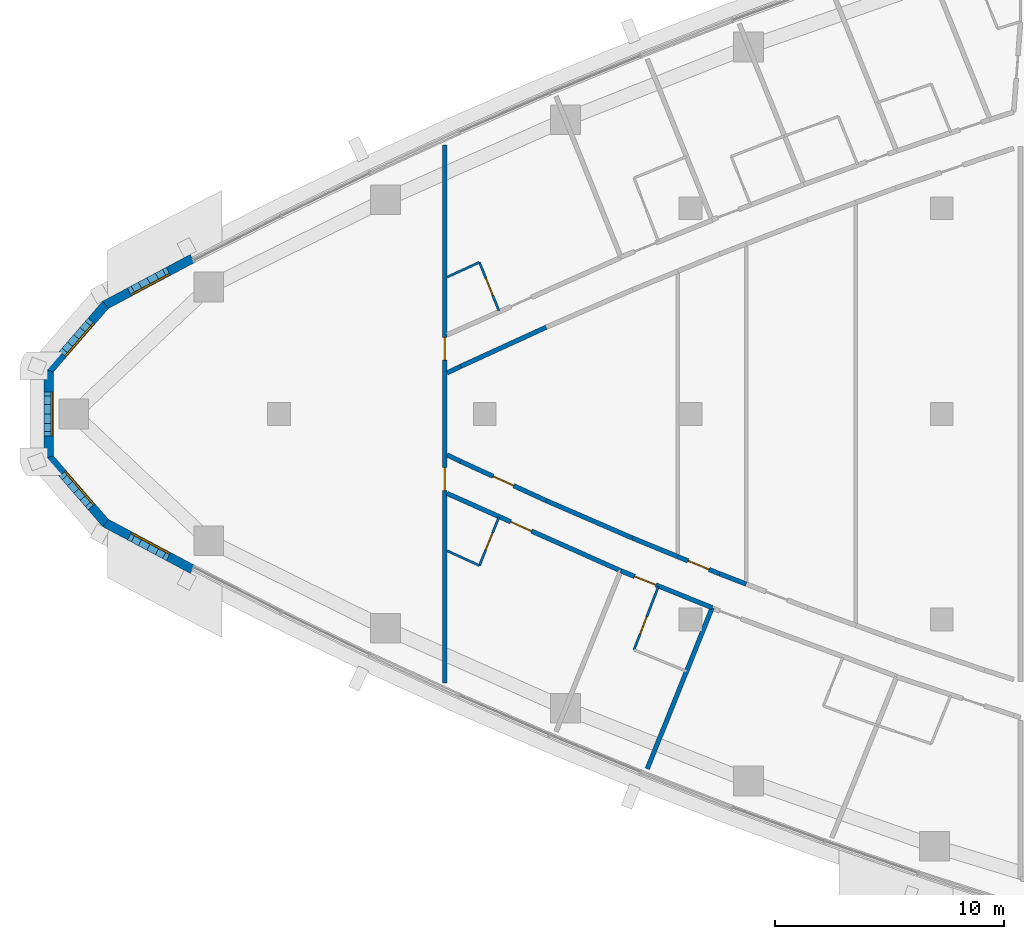
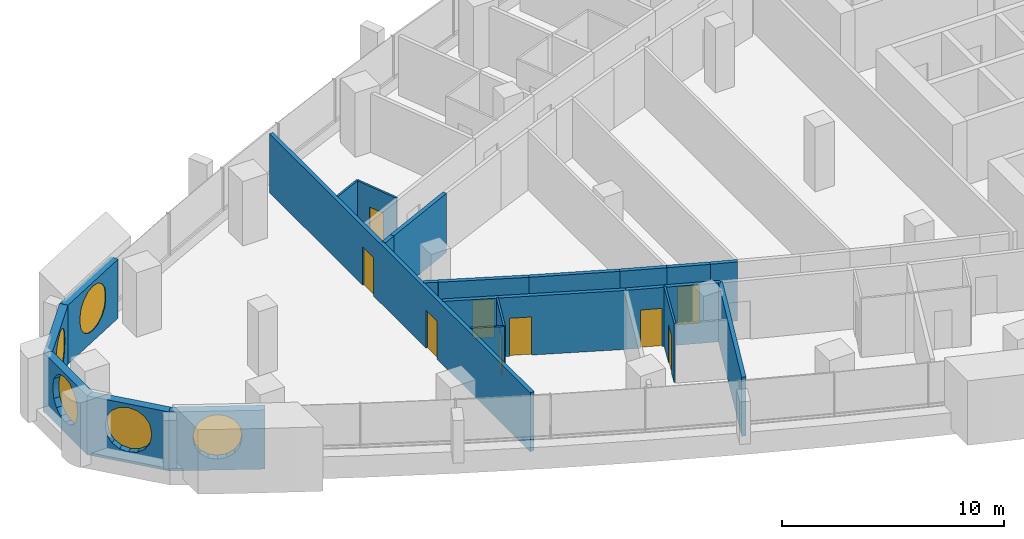
# One storey, part 9 of 17: 22 walls, 9 doors, 5 windows, 14 openings.
"""IFC4 building model written with IfcOpenShell, lengths in metres."""

from ifc_helpers import new_model, si_unit, direction, frame, frame_2d, origin, place, context, subcontext, project, spatial, polyline, rectangle, outline, extrude, material, layer, layer_set, type_object, element, fill, save


model = new_model("IFC4")

# Units and contexts
model_context = context("Model", 3, precision=1e-05, world=origin(), true_north=direction((0.0, 1.0)))
body_context = subcontext(model_context, "Body", "Model", "MODEL_VIEW")
ifc_project = project(units=[si_unit("LENGTHUNIT", "METRE"), si_unit("AREAUNIT", "SQUARE_METRE"), si_unit("VOLUMEUNIT", "CUBIC_METRE"), si_unit("PLANEANGLEUNIT", "RADIAN"), si_unit("MASSUNIT", "GRAM", prefix="KILO")], contexts=[model_context])

# Site, building, storey
site_placement = place(None, origin())
site = spatial("IfcSite", under=ifc_project, at=site_placement, CompositionType="ELEMENT")
building_placement = place(site_placement, origin())
building = spatial("IfcBuilding", under=site, at=building_placement, Name="Ostrand Prow Hotel Tower", CompositionType="ELEMENT")
storey_placement = place(building_placement, frame((0.0, 0.0, 203.89990234375)))
storey = spatial("IfcBuildingStorey", under=building, at=storey_placement, Name="L51", CompositionType="ELEMENT", Elevation=203.89990234375)

# Wall
ifc_material_1 = material(Name="Plasterboard partition")
ifc_layer_1 = layer(ifc_material_1, 0.10009765625)
ifc_layer_set_1 = layer_set([ifc_layer_1], Name="Plasterboard partition")
wall_type_1 = type_object("IfcWallType", Name="Partition 100 bathroom wall", PredefinedType="PARTITIONING", material=ifc_layer_set_1)
wall_1_placement = place(storey_placement, frame((23.35400390625, 5.9873046875, 0.0), z_axis=(0.0, 0.0, 1.0), x_axis=(0.909158902999, 0.416449383597, 0.0)))
element("IfcWall", 1, at=wall_1_placement, inside=storey, type_object=wall_type_1, Name="BATHROOM WALL", PredefinedType="PARTITIONING", context=body_context, shape_type="SweptSolid", body=[
    extrude(rectangle(XDim=1.555908203125, YDim=0.10009765625, at=frame_2d((0.77783203125, 0.0))), origin(), (0.0, 0.0, 1.0), 3.25),
])

# Wall, opening, door
wall_2_placement = place(storey_placement, frame((24.7685546875, 6.635009765625, 0.0), z_axis=(0.0, 0.0, 1.0), x_axis=(0.373956446544, -0.927446265877, 0.0)))
wall_2 = element("IfcWall", 2, at=wall_2_placement, inside=storey, type_object=wall_type_1, Name="BATHROOM WALL", PredefinedType="PARTITIONING", context=body_context, shape_type="SweptSolid", body=[
    extrude(rectangle(XDim=2.279052734375, YDim=0.10009765625, at=frame_2d((1.1396484375, 0.0))), origin(), (0.0, 0.0, 1.0), 3.25),
])
opening_1_placement = place(wall_2_placement, frame((0.75, 0.0, 0.0)))
opening_1 = element("IfcOpeningElement", 3, at=opening_1_placement, cuts=wall_2, Name="Opening D2", PredefinedType="OPENING", context=body_context, shape_type="SweptSolid", body=[
    extrude(rectangle(XDim=0.800048828125, YDim=2.10009765625, at=frame_2d((0.39990234375, 1.050048828125))), frame((0.0, 0.06005859375, 0.0), z_axis=(0.0, -1.0, 0.0), x_axis=(1.0, 0.0, 0.0)), (0.0, 0.0, 1.0), 0.1201171875),
])
ifc_material_2 = material(Name="Timber door leaf", Category="wood")
door_type_1 = type_object("IfcDoorType", Name="Bathroom door 800", OperationType="SINGLE_SWING_LEFT", PredefinedType="DOOR", material=ifc_material_2)
door_1_placement = place(opening_1_placement, origin())
door_1 = element("IfcDoor", 4, at=door_1_placement, inside=storey, type_object=door_type_1, Name="DOOR", OperationType="SINGLE_SWING_LEFT", OverallHeight=2.10009765625, OverallWidth=0.800048828125, PredefinedType="DOOR", context=body_context, shape_type="SweptSolid", body=[
    extrude(rectangle(XDim=0.800048828125, YDim=2.10009765625, at=frame_2d((0.39990234375, 1.050048828125))), frame((0.0, 0.02490234375, 0.0), z_axis=(0.0, -1.0, 0.0), x_axis=(1.0, 0.0, 0.0)), (0.0, 0.0, 1.0), 0.050048828125),
])
fill(opening_1, door_1)

wall_3_placement = place(storey_placement, frame((25.620849609375, -4.521240234375, 0.0), z_axis=(0.0, 0.0, 1.0), x_axis=(-0.373956446544, -0.927446265877, 0.0)))
wall_3 = element("IfcWall", 5, at=wall_3_placement, inside=storey, type_object=wall_type_1, Name="BATHROOM WALL", PredefinedType="PARTITIONING", context=body_context, shape_type="SweptSolid", body=[
    extrude(rectangle(XDim=2.279052734375, YDim=0.10009765625, at=frame_2d((1.1396484375, 0.0))), origin(), (0.0, 0.0, 1.0), 3.25),
])
opening_2_placement = place(wall_3_placement, frame((0.75, 0.0, 0.0)))
opening_2 = element("IfcOpeningElement", 6, at=opening_2_placement, cuts=wall_3, Name="Opening D2", PredefinedType="OPENING", context=body_context, shape_type="SweptSolid", body=[
    extrude(rectangle(XDim=0.800048828125, YDim=2.10009765625, at=frame_2d((0.39990234375, 1.050048828125))), frame((0.0, 0.06005859375, 0.0), z_axis=(0.0, -1.0, 0.0), x_axis=(1.0, 0.0, 0.0)), (0.0, 0.0, 1.0), 0.1201171875),
])
door_2_placement = place(opening_2_placement, origin())
door_2 = element("IfcDoor", 7, at=door_2_placement, inside=storey, type_object=door_type_1, Name="DOOR", OperationType="SINGLE_SWING_LEFT", OverallHeight=2.10009765625, OverallWidth=0.800048828125, PredefinedType="DOOR", context=body_context, shape_type="SweptSolid", body=[
    extrude(rectangle(XDim=0.800048828125, YDim=2.10009765625, at=frame_2d((0.39990234375, 1.050048828125))), frame((0.0, 0.02490234375, 0.0), z_axis=(0.0, -1.0, 0.0), x_axis=(1.0, 0.0, 0.0)), (0.0, 0.0, 1.0), 0.050048828125),
])
fill(opening_2, door_2)

# Wall
wall_4_placement = place(storey_placement, frame((24.7685546875, -6.63525390625, 0.0), z_axis=(0.0, 0.0, 1.0), x_axis=(-0.909158902999, 0.416449383597, 0.0)))
element("IfcWall", 8, at=wall_4_placement, inside=storey, type_object=wall_type_1, Name="BATHROOM WALL", PredefinedType="PARTITIONING", context=body_context, shape_type="SweptSolid", body=[
    extrude(rectangle(XDim=1.555908203125, YDim=0.10009765625, at=frame_2d((0.77783203125, 0.0))), origin(), (0.0, 0.0, 1.0), 3.25),
])

# Wall, opening, door
wall_5_placement = place(storey_placement, frame((31.53369140625, -10.322998046875, 0.0), z_axis=(0.0, 0.0, 1.0), x_axis=(0.359610255373, 0.933102601127, 0.0)))
wall_5 = element("IfcWall", 9, at=wall_5_placement, inside=storey, type_object=wall_type_1, Name="BATHROOM WALL", PredefinedType="PARTITIONING", context=body_context, shape_type="SweptSolid", body=[
    extrude(rectangle(XDim=2.98046875, YDim=0.10009765625, at=frame_2d((1.490234375, 0.0))), origin(), (0.0, 0.0, 1.0), 3.25),
])
opening_3_placement = place(wall_5_placement, frame((0.75, 0.0, 0.0)))
opening_3 = element("IfcOpeningElement", 10, at=opening_3_placement, cuts=wall_5, Name="Opening D2", PredefinedType="OPENING", context=body_context, shape_type="SweptSolid", body=[
    extrude(rectangle(XDim=0.800048828125, YDim=2.10009765625, at=frame_2d((0.39990234375, 1.050048828125))), frame((0.0, 0.06005859375, 0.0), z_axis=(0.0, -1.0, 0.0), x_axis=(1.0, 0.0, 0.0)), (0.0, 0.0, 1.0), 0.1201171875),
])
door_3_placement = place(opening_3_placement, origin())
door_3 = element("IfcDoor", 11, at=door_3_placement, inside=storey, type_object=door_type_1, Name="DOOR", OperationType="SINGLE_SWING_LEFT", OverallHeight=2.10009765625, OverallWidth=0.800048828125, PredefinedType="DOOR", context=body_context, shape_type="SweptSolid", body=[
    extrude(rectangle(XDim=0.800048828125, YDim=2.10009765625, at=frame_2d((0.39990234375, 1.050048828125))), frame((0.0, 0.02490234375, 0.0), z_axis=(0.0, -1.0, 0.0), x_axis=(1.0, 0.0, 0.0)), (0.0, 0.0, 1.0), 0.050048828125),
])
fill(opening_3, door_3)

ifc_material_3 = material(Name="Plasterboard partition")
ifc_layer_2 = layer(ifc_material_3, 0.199951171875)
ifc_layer_set_2 = layer_set([ifc_layer_2], Name="Plasterboard partition")
wall_type_2 = type_object("IfcWallType", Name="Partition 200 corridor wall", PredefinedType="PARTITIONING", material=ifc_layer_set_2)
wall_6_placement = place(storey_placement, frame((23.35400390625, -3.4794921875, 0.0), z_axis=(0.0, 0.0, 1.0), x_axis=(0.913491969365, -0.406856758461, 0.0)))
wall_6 = element("IfcWall", 12, at=wall_6_placement, inside=storey, type_object=wall_type_2, Name="CORRIDOR WALL", PredefinedType="PARTITIONING", context=body_context, shape_type="SweptSolid", body=[
    extrude(rectangle(XDim=8.32421875, YDim=0.199951171875, at=frame_2d((4.162109375, 0.0))), origin(), (0.0, 0.0, 1.0), 3.25),
])
opening_4_placement = place(wall_6_placement, frame((3.050048828125, 0.0, 0.0)))
opening_4 = element("IfcOpeningElement", 13, at=opening_4_placement, cuts=wall_6, Name="Opening D1", PredefinedType="OPENING", context=body_context, shape_type="SweptSolid", body=[
    extrude(rectangle(XDim=1.0, YDim=2.10009765625, at=frame_2d((0.5, 1.050048828125))), frame((0.0, 0.10986328125, 0.0), z_axis=(0.0, -1.0, 0.0), x_axis=(1.0, 0.0, 0.0)), (0.0, 0.0, 1.0), 0.219970703125),
])
ifc_material_4 = material(Name="Timber door leaf", Category="wood")
door_type_2 = type_object("IfcDoorType", Name="Guest room door 1000", OperationType="SINGLE_SWING_LEFT", PredefinedType="DOOR", material=ifc_material_4)
door_4_placement = place(opening_4_placement, origin())
door_4 = element("IfcDoor", 14, at=door_4_placement, inside=storey, type_object=door_type_2, Name="DOOR", OperationType="SINGLE_SWING_LEFT", OverallHeight=2.10009765625, OverallWidth=1.0, PredefinedType="DOOR", context=body_context, shape_type="SweptSolid", body=[
    extrude(rectangle(XDim=1.0, YDim=2.10009765625, at=frame_2d((0.5, 1.050048828125))), frame((0.0, 0.02490234375, 0.0), z_axis=(0.0, -1.0, 0.0), x_axis=(1.0, 0.0, 0.0)), (0.0, 0.0, 1.0), 0.050048828125),
])
fill(opening_4, door_4)

wall_7_placement = place(storey_placement, frame((30.9580078125, -6.8662109375, 0.0), z_axis=(0.0, 0.0, 1.0), x_axis=(0.927398695046, -0.374074404933, 0.0)))
wall_7 = element("IfcWall", 15, at=wall_7_placement, inside=storey, type_object=wall_type_2, Name="CORRIDOR WALL", PredefinedType="PARTITIONING", context=body_context, shape_type="SweptSolid", body=[
    extrude(rectangle(XDim=4.310791015625, YDim=0.199951171875, at=frame_2d((2.1552734375, 0.0))), origin(), (0.0, 0.0, 1.0), 3.25),
])
opening_5_placement = place(wall_7_placement, frame((0.64990234375, 0.0, 0.0)))
opening_5 = element("IfcOpeningElement", 16, at=opening_5_placement, cuts=wall_7, Name="Opening D1", PredefinedType="OPENING", context=body_context, shape_type="SweptSolid", body=[
    extrude(rectangle(XDim=1.0, YDim=2.10009765625, at=frame_2d((0.5, 1.050048828125))), frame((0.0, 0.10986328125, 0.0), z_axis=(0.0, -1.0, 0.0), x_axis=(1.0, 0.0, 0.0)), (0.0, 0.0, 1.0), 0.219970703125),
])
door_5_placement = place(opening_5_placement, origin())
door_5 = element("IfcDoor", 17, at=door_5_placement, inside=storey, type_object=door_type_2, Name="DOOR", OperationType="SINGLE_SWING_LEFT", OverallHeight=2.10009765625, OverallWidth=1.0, PredefinedType="DOOR", context=body_context, shape_type="SweptSolid", body=[
    extrude(rectangle(XDim=1.0, YDim=2.10009765625, at=frame_2d((0.5, 1.050048828125))), frame((0.0, 0.02490234375, 0.0), z_axis=(0.0, -1.0, 0.0), x_axis=(1.0, 0.0, 0.0)), (0.0, 0.0, 1.0), 0.050048828125),
])
fill(opening_5, door_5)

wall_8_placement = place(storey_placement, frame((27.689697265625, -3.79345703125, 0.0), z_axis=(0.0, 0.0, 1.0), x_axis=(-0.909180834404, 0.416401501382, 0.0)))
wall_8 = element("IfcWall", 18, at=wall_8_placement, inside=storey, type_object=wall_type_2, Name="CORRIDOR WALL", PredefinedType="PARTITIONING", context=body_context, shape_type="SweptSolid", body=[
    extrude(rectangle(XDim=4.1171875, YDim=0.199951171875, at=frame_2d((2.05859375, 0.0))), origin(), (0.0, 0.0, 1.0), 3.25),
])
opening_6_placement = place(wall_8_placement, frame((1.55859375, 0.0, 0.0)))
opening_6 = element("IfcOpeningElement", 19, at=opening_6_placement, cuts=wall_8, Name="Opening D1R", PredefinedType="OPENING", context=body_context, shape_type="SweptSolid", body=[
    extrude(rectangle(XDim=1.0, YDim=2.10009765625, at=frame_2d((0.5, 1.050048828125))), frame((0.0, 0.10986328125, 0.0), z_axis=(0.0, -1.0, 0.0), x_axis=(1.0, 0.0, 0.0)), (0.0, 0.0, 1.0), 0.219970703125),
])
ifc_material_5 = material(Name="Timber door leaf", Category="wood")
door_type_3 = type_object("IfcDoorType", Name="Guest room door 1000 right", OperationType="SINGLE_SWING_RIGHT", PredefinedType="DOOR", material=ifc_material_5)
door_6_placement = place(opening_6_placement, origin())
door_6 = element("IfcDoor", 20, at=door_6_placement, inside=storey, type_object=door_type_3, Name="DOOR", OperationType="SINGLE_SWING_RIGHT", OverallHeight=2.10009765625, OverallWidth=1.0, PredefinedType="DOOR", context=body_context, shape_type="SweptSolid", body=[
    extrude(rectangle(XDim=1.0, YDim=2.10009765625, at=frame_2d((0.5, 1.050048828125))), frame((0.0, 0.02490234375, 0.0), z_axis=(0.0, -1.0, 0.0), x_axis=(1.0, 0.0, 0.0)), (0.0, 0.0, 1.0), 0.050048828125),
])
fill(opening_6, door_6)

# Walls
wall_9_placement = place(storey_placement, frame((33.44140625, -6.241943359375, 0.0), z_axis=(0.0, 0.0, 1.0), x_axis=(-0.925231428595, 0.379403220256, 0.0)))
element("IfcWall", 21, at=wall_9_placement, inside=storey, type_object=wall_type_2, Name="CORRIDOR WALL", PredefinedType="PARTITIONING", context=body_context, shape_type="SweptSolid", body=[
    extrude(rectangle(XDim=2.134521484375, YDim=0.199951171875, at=frame_2d((1.0673828125, 0.0))), origin(), (0.0, 0.0, 1.0), 3.25),
])
wall_10_placement = place(storey_placement, frame((31.466552734375, -5.43212890625, 0.0), z_axis=(0.0, 0.0, 1.0), x_axis=(-0.917375244839, 0.398023441717, 0.0)))
element("IfcWall", 22, at=wall_10_placement, inside=storey, type_object=wall_type_2, Name="CORRIDOR WALL", PredefinedType="PARTITIONING", context=body_context, shape_type="SweptSolid", body=[
    extrude(rectangle(XDim=4.116943359375, YDim=0.199951171875, at=frame_2d((2.05859375, 0.0))), origin(), (0.0, 0.0, 1.0), 3.25),
])
for number, where, z_axis, x_axis, name in (
    (23, (23.946533203125, -2.0791015625, 0.0), (0.0, 0.0, 1.0), (-0.900646803965, 0.434551877809, 0.0), "CORRIDOR WALL"),
    (24, (23.35400390625, 1.793212890625, 0.0), (0.0, 0.0, 1.0), (0.900646803965, 0.434551877809, 0.0), "CORRIDOR WALL"),
):
    element("IfcWall", number, at=place(storey_placement, frame(where, z_axis=z_axis, x_axis=x_axis)), inside=storey, type_object=wall_type_2, Name=name, PredefinedType="PARTITIONING", context=body_context, shape_type="SweptSolid", body=[
        extrude(rectangle(XDim=0.657958984375, YDim=0.199951171875, at=frame_2d((0.3291015625, 0.0))), origin(), (0.0, 0.0, 1.0), 3.25),
    ])
wall_11_placement = place(storey_placement, frame((23.946533203125, 2.0791015625, 0.0), z_axis=(0.0, 0.0, 1.0), x_axis=(0.909180834404, 0.416401501382, 0.0)))
element("IfcWall", 25, at=wall_11_placement, inside=storey, type_object=wall_type_2, Name="CORRIDOR WALL", PredefinedType="PARTITIONING", context=body_context, shape_type="SweptSolid", body=[
    extrude(rectangle(XDim=4.1171875, YDim=0.199951171875, at=frame_2d((2.05859375, 0.0))), origin(), (0.0, 0.0, 1.0), 3.25),
])

# Wall, opening, door
wall_12_placement = place(storey_placement, frame((35.275634765625, -6.994384765625, 0.0), z_axis=(0.0, 0.0, 1.0), x_axis=(-0.925179705777, 0.379529329589, 0.0)))
wall_12 = element("IfcWall", 26, at=wall_12_placement, inside=storey, type_object=wall_type_2, Name="CORRIDOR WALL", PredefinedType="PARTITIONING", context=body_context, shape_type="SweptSolid", body=[
    extrude(rectangle(XDim=1.982666015625, YDim=0.199951171875, at=frame_2d((0.9912109375, 0.0))), origin(), (0.0, 0.0, 1.0), 3.25),
])
opening_7_placement = place(wall_12_placement, frame((0.4912109375, 0.0, 0.0)))
opening_7 = element("IfcOpeningElement", 27, at=opening_7_placement, cuts=wall_12, Name="Opening D1", PredefinedType="OPENING", context=body_context, shape_type="SweptSolid", body=[
    extrude(rectangle(XDim=1.0, YDim=2.10009765625, at=frame_2d((0.5, 1.050048828125))), frame((0.0, 0.10986328125, 0.0), z_axis=(0.0, -1.0, 0.0), x_axis=(1.0, 0.0, 0.0)), (0.0, 0.0, 1.0), 0.219970703125),
])
door_7_placement = place(opening_7_placement, origin())
door_7 = element("IfcDoor", 28, at=door_7_placement, inside=storey, type_object=door_type_2, Name="DOOR", OperationType="SINGLE_SWING_LEFT", OverallHeight=2.10009765625, OverallWidth=1.0, PredefinedType="DOOR", context=body_context, shape_type="SweptSolid", body=[
    extrude(rectangle(XDim=1.0, YDim=2.10009765625, at=frame_2d((0.5, 1.050048828125))), frame((0.0, 0.02490234375, 0.0), z_axis=(0.0, -1.0, 0.0), x_axis=(1.0, 0.0, 0.0)), (0.0, 0.0, 1.0), 0.050048828125),
])
fill(opening_7, door_7)

# Walls
wall_13_placement = place(storey_placement, frame((36.44140625, -7.445068359375, 0.0), z_axis=(0.0, 0.0, 1.0), x_axis=(-0.932724985261, 0.360588549276, 0.0)))
element("IfcWall", 29, at=wall_13_placement, inside=storey, type_object=wall_type_2, Name="CORRIDOR WALL", PredefinedType="PARTITIONING", context=body_context, shape_type="SweptSolid", body=[
    extrude(rectangle(XDim=1.249755859375, YDim=0.199951171875, at=frame_2d((0.625, 0.0))), origin(), (0.0, 0.0, 1.0), 3.25),
])
ifc_material_6 = material(Name="Plasterboard partition")
ifc_layer_3 = layer(ifc_material_6, 0.199951171875)
ifc_layer_set_3 = layer_set([ifc_layer_3], Name="Plasterboard partition")
wall_type_3 = type_object("IfcWallType", Name="Partition 200 key partition", PredefinedType="PARTITIONING", material=ifc_layer_set_3)
wall_14_placement = place(storey_placement, frame((32.114013671875, -15.5283203125, 0.0), z_axis=(0.0, 0.0, 1.0), x_axis=(0.373881438439, 0.927476506436, 0.0)))
element("IfcWall", 30, at=wall_14_placement, inside=storey, type_object=wall_type_3, Name="KEY PARTITION", PredefinedType="PARTITIONING", context=body_context, shape_type="SweptSolid", body=[
    extrude(rectangle(XDim=7.600830078125, YDim=0.199951171875, at=frame_2d((3.80029296875, 0.0))), origin(), (0.0, 0.0, 1.0), 3.25),
])

# Wall, openings, doors
ifc_material_7 = material(Name="Plasterboard partition")
ifc_layer_4 = layer(ifc_material_7, 0.199951171875)
ifc_layer_set_4 = layer_set([ifc_layer_4], Name="Plasterboard partition")
wall_type_4 = type_object("IfcWallType", Name="Partition 200 lounge wall", PredefinedType="PARTITIONING", material=ifc_layer_set_4)
wall_15_placement = place(storey_placement, frame((23.25390625, -11.77099609375, 0.0), z_axis=(0.0, 0.0, 1.0), x_axis=(0.0, 1.0, 0.0)))
wall_15 = element("IfcWall", 31, at=wall_15_placement, inside=storey, type_object=wall_type_4, Name="LOUNGE WALL", PredefinedType="PARTITIONING", context=body_context, shape_type="SweptSolid", body=[
    extrude(rectangle(XDim=23.5419921875, YDim=0.199951171875, at=frame_2d((11.77099609375, 0.0))), origin(), (0.0, 0.0, 1.0), 3.25),
])
opening_8_placement = place(wall_15_placement, frame((14.125, 0.0, 0.0)))
opening_8 = element("IfcOpeningElement", 32, at=opening_8_placement, cuts=wall_15, Name="Opening D1", PredefinedType="OPENING", context=body_context, shape_type="SweptSolid", body=[
    extrude(rectangle(XDim=1.0, YDim=2.10009765625, at=frame_2d((0.5, 1.050048828125))), frame((0.0, 0.10986328125, 0.0), z_axis=(0.0, -1.0, 0.0), x_axis=(1.0, 0.0, 0.0)), (0.0, 0.0, 1.0), 0.219970703125),
])
opening_9_placement = place(wall_15_placement, frame((8.4169921875, 0.0, 0.0)))
opening_9 = element("IfcOpeningElement", 33, at=opening_9_placement, cuts=wall_15, Name="Opening D1R", PredefinedType="OPENING", context=body_context, shape_type="SweptSolid", body=[
    extrude(rectangle(XDim=1.0, YDim=2.10009765625, at=frame_2d((0.5, 1.050048828125))), frame((0.0, 0.10986328125, 0.0), z_axis=(0.0, -1.0, 0.0), x_axis=(1.0, 0.0, 0.0)), (0.0, 0.0, 1.0), 0.219970703125),
])
door_8_placement = place(opening_8_placement, origin())
door_8 = element("IfcDoor", 34, at=door_8_placement, inside=storey, type_object=door_type_2, Name="DOOR", OperationType="SINGLE_SWING_LEFT", OverallHeight=2.10009765625, OverallWidth=1.0, PredefinedType="DOOR", context=body_context, shape_type="SweptSolid", body=[
    extrude(rectangle(XDim=1.0, YDim=2.10009765625, at=frame_2d((0.5, 1.050048828125))), frame((0.0, 0.02490234375, 0.0), z_axis=(0.0, -1.0, 0.0), x_axis=(1.0, 0.0, 0.0)), (0.0, 0.0, 1.0), 0.050048828125),
])
fill(opening_8, door_8)
door_9_placement = place(opening_9_placement, origin())
door_9 = element("IfcDoor", 35, at=door_9_placement, inside=storey, type_object=door_type_3, Name="DOOR", OperationType="SINGLE_SWING_RIGHT", OverallHeight=2.10009765625, OverallWidth=1.0, PredefinedType="DOOR", context=body_context, shape_type="SweptSolid", body=[
    extrude(rectangle(XDim=1.0, YDim=2.10009765625, at=frame_2d((0.5, 1.050048828125))), frame((0.0, 0.02490234375, 0.0), z_axis=(0.0, -1.0, 0.0), x_axis=(1.0, 0.0, 0.0)), (0.0, 0.0, 1.0), 0.050048828125),
])
fill(opening_9, door_9)

# Wall, opening, window
ifc_material_8 = material(Name="Precast concrete C40/50", Category="concrete")
ifc_layer_5 = layer(ifc_material_8, 0.39990234375)
ifc_layer_set_5 = layer_set([ifc_layer_5], Name="Precast concrete C40/50")
wall_type_5 = type_object("IfcWallType", Name="Stone-faced precast wall 400 mm", PredefinedType="NOTDEFINED", material=ifc_layer_set_5)
wall_16_placement = place(storey_placement, frame((12.209716796875, 6.801025390625, 0.0), z_axis=(0.0, 0.0, 1.0), x_axis=(-0.882385889746, -0.470526451518, 0.0)))
wall_16 = element("IfcWall", 36, at=wall_16_placement, inside=storey, type_object=wall_type_5, Name="Stone-faced wall prow 1", PredefinedType="NOTDEFINED", context=body_context, shape_type="SweptSolid", body=[
    extrude(outline(polyline([(0.0, -0.199951171875), (4.34423828125, -0.199951171875), (4.27001953125, 0.199951171875), (0.0, 0.199951171875), (0.0, -0.199951171875)])), origin(), (0.0, 0.0, 1.0), 3.25),
])
opening_10_placement = place(wall_16_placement, frame((1.053466796875, 0.0, 0.60009765625)))
opening_10 = element("IfcOpeningElement", 37, at=opening_10_placement, cuts=wall_16, Name="Opening WP1", PredefinedType="OPENING", context=body_context, shape_type="SweptSolid", body=[
    extrude(outline(polyline([(0.0, 1.35009765625), (0.083740234375, 1.77099609375), (0.322265625, 2.127685546875), (0.678955078125, 2.3662109375), (1.10009765625, 2.449951171875), (1.52099609375, 2.3662109375), (1.877685546875, 2.127685546875), (2.1162109375, 1.77099609375), (2.199951171875, 1.35009765625), (2.199951171875, 1.10009765625), (2.1162109375, 0.678955078125), (1.877685546875, 0.322265625), (1.52099609375, 0.083740234375), (1.10009765625, 0.0), (0.678955078125, 0.083740234375), (0.322265625, 0.322265625), (0.083740234375, 0.678955078125), (0.0, 1.099853515625), (0.0, 1.35009765625)])), frame((0.0, 0.2099609375, 0.0), z_axis=(0.0, -1.0, 0.0), x_axis=(1.0, 0.0, 0.0)), (0.0, 0.0, 1.0), 0.419921875),
])
ifc_material_9 = material(Name="Insulated glass in bronze frame", Category="glass")
window_type = type_object("IfcWindowType", Name="Round-ended prow window 2200x2450", PartitioningType="SINGLE_PANEL", PredefinedType="WINDOW", material=ifc_material_9)
window_1_placement = place(opening_10_placement, origin())
window_1 = element("IfcWindow", 38, at=window_1_placement, inside=storey, type_object=window_type, Name="Window prow 1.1", OverallHeight=2.449951171875, OverallWidth=2.199951171875, PartitioningType="SINGLE_PANEL", PredefinedType="WINDOW", context=body_context, shape_type="SweptSolid", body=[
    extrude(outline(polyline([(0.0, 1.35009765625), (0.083740234375, 1.77099609375), (0.322265625, 2.127685546875), (0.678955078125, 2.3662109375), (1.10009765625, 2.449951171875), (1.52099609375, 2.3662109375), (1.877685546875, 2.127685546875), (2.1162109375, 1.77099609375), (2.199951171875, 1.35009765625), (2.199951171875, 1.10009765625), (2.1162109375, 0.678955078125), (1.877685546875, 0.322265625), (1.52099609375, 0.083740234375), (1.10009765625, 0.0), (0.678955078125, 0.083740234375), (0.322265625, 0.322265625), (0.083740234375, 0.678955078125), (0.0, 1.099853515625), (0.0, 1.35009765625)])), frame((0.0, 0.169921875, 0.0), z_axis=(0.0, -1.0, 0.0), x_axis=(1.0, 0.0, 0.0)), (0.0, 0.0, 1.0), 0.06005859375),
])
fill(opening_10, window_1)

wall_17_placement = place(storey_placement, frame((8.4091796875, 4.7744140625, 0.0), z_axis=(0.0, 0.0, 1.0), x_axis=(-0.654759384203, -0.755837382509, 0.0)))
wall_17 = element("IfcWall", 39, at=wall_17_placement, inside=storey, type_object=wall_type_5, Name="Stone-faced wall prow 2", PredefinedType="NOTDEFINED", context=body_context, shape_type="SweptSolid", body=[
    extrude(outline(polyline([(-0.037109375, -0.199951171875), (3.87646484375, -0.199951171875), (3.72705078125, 0.199951171875), (0.037109375, 0.199951171875), (-0.037109375, -0.199951171875)])), origin(), (0.0, 0.0, 1.0), 3.25),
])
opening_11_placement = place(wall_17_placement, frame((0.80078125, 0.0, 0.60009765625)))
opening_11 = element("IfcOpeningElement", 40, at=opening_11_placement, cuts=wall_17, Name="Opening WP1", PredefinedType="OPENING", context=body_context, shape_type="SweptSolid", body=[
    extrude(outline(polyline([(0.0, 1.35009765625), (0.083740234375, 1.77099609375), (0.322265625, 2.127685546875), (0.678955078125, 2.3662109375), (1.10009765625, 2.449951171875), (1.52099609375, 2.3662109375), (1.877685546875, 2.127685546875), (2.1162109375, 1.77099609375), (2.199951171875, 1.35009765625), (2.199951171875, 1.10009765625), (2.1162109375, 0.678955078125), (1.877685546875, 0.322265625), (1.52099609375, 0.083740234375), (1.10009765625, 0.0), (0.678955078125, 0.083740234375), (0.322265625, 0.322265625), (0.083740234375, 0.678955078125), (0.0, 1.099853515625), (0.0, 1.35009765625)])), frame((0.0, 0.2099609375, 0.0), z_axis=(0.0, -1.0, 0.0), x_axis=(1.0, 0.0, 0.0)), (0.0, 0.0, 1.0), 0.419921875),
])
window_2_placement = place(opening_11_placement, origin())
window_2 = element("IfcWindow", 41, at=window_2_placement, inside=storey, type_object=window_type, Name="Window prow 2.1", OverallHeight=2.449951171875, OverallWidth=2.199951171875, PartitioningType="SINGLE_PANEL", PredefinedType="WINDOW", context=body_context, shape_type="SweptSolid", body=[
    extrude(outline(polyline([(0.0, 1.35009765625), (0.083740234375, 1.77099609375), (0.322265625, 2.127685546875), (0.678955078125, 2.3662109375), (1.10009765625, 2.449951171875), (1.52099609375, 2.3662109375), (1.877685546875, 2.127685546875), (2.1162109375, 1.77099609375), (2.199951171875, 1.35009765625), (2.199951171875, 1.10009765625), (2.1162109375, 0.678955078125), (1.877685546875, 0.322265625), (1.52099609375, 0.083740234375), (1.10009765625, 0.0), (0.678955078125, 0.083740234375), (0.322265625, 0.322265625), (0.083740234375, 0.678955078125), (0.0, 1.099853515625), (0.0, 1.35009765625)])), frame((0.0, 0.169921875, 0.0), z_axis=(0.0, -1.0, 0.0), x_axis=(1.0, 0.0, 0.0)), (0.0, 0.0, 1.0), 0.06005859375),
])
fill(opening_11, window_2)

wall_18_placement = place(storey_placement, frame((5.919921875, 1.90087890625, 0.0), z_axis=(0.0, 0.0, 1.0), x_axis=(0.0, -1.0, 0.0)))
wall_18 = element("IfcWall", 42, at=wall_18_placement, inside=storey, type_object=wall_type_5, Name="Stone-faced wall prow 3", PredefinedType="NOTDEFINED", context=body_context, shape_type="SweptSolid", body=[
    extrude(outline(polyline([(-0.07470703125, -0.199951171875), (3.87646484375, -0.199951171875), (3.72705078125, 0.199951171875), (0.07470703125, 0.199951171875), (-0.07470703125, -0.199951171875)])), origin(), (0.0, 0.0, 1.0), 3.25),
])
opening_12_placement = place(wall_18_placement, frame((0.80078125, 0.0, 0.60009765625)))
opening_12 = element("IfcOpeningElement", 43, at=opening_12_placement, cuts=wall_18, Name="Opening WP1", PredefinedType="OPENING", context=body_context, shape_type="SweptSolid", body=[
    extrude(outline(polyline([(0.0, 1.35009765625), (0.083740234375, 1.77099609375), (0.322265625, 2.127685546875), (0.678955078125, 2.3662109375), (1.10009765625, 2.449951171875), (1.52099609375, 2.3662109375), (1.877685546875, 2.127685546875), (2.1162109375, 1.77099609375), (2.199951171875, 1.35009765625), (2.199951171875, 1.10009765625), (2.1162109375, 0.678955078125), (1.877685546875, 0.322265625), (1.52099609375, 0.083740234375), (1.10009765625, 0.0), (0.678955078125, 0.083740234375), (0.322265625, 0.322265625), (0.083740234375, 0.678955078125), (0.0, 1.099853515625), (0.0, 1.35009765625)])), frame((0.0, 0.2099609375, 0.0), z_axis=(0.0, -1.0, 0.0), x_axis=(1.0, 0.0, 0.0)), (0.0, 0.0, 1.0), 0.419921875),
])
window_3_placement = place(opening_12_placement, origin())
window_3 = element("IfcWindow", 44, at=window_3_placement, inside=storey, type_object=window_type, Name="Window prow 3.1", OverallHeight=2.449951171875, OverallWidth=2.199951171875, PartitioningType="SINGLE_PANEL", PredefinedType="WINDOW", context=body_context, shape_type="SweptSolid", body=[
    extrude(outline(polyline([(0.0, 1.35009765625), (0.083740234375, 1.77099609375), (0.322265625, 2.127685546875), (0.678955078125, 2.3662109375), (1.10009765625, 2.449951171875), (1.52099609375, 2.3662109375), (1.877685546875, 2.127685546875), (2.1162109375, 1.77099609375), (2.199951171875, 1.35009765625), (2.199951171875, 1.10009765625), (2.1162109375, 0.678955078125), (1.877685546875, 0.322265625), (1.52099609375, 0.083740234375), (1.10009765625, 0.0), (0.678955078125, 0.083740234375), (0.322265625, 0.322265625), (0.083740234375, 0.678955078125), (0.0, 1.099853515625), (0.0, 1.35009765625)])), frame((0.0, 0.169921875, 0.0), z_axis=(0.0, -1.0, 0.0), x_axis=(1.0, 0.0, 0.0)), (0.0, 0.0, 1.0), 0.06005859375),
])
fill(opening_12, window_3)

wall_19_placement = place(storey_placement, frame((5.919921875, -1.90087890625, 0.0), z_axis=(0.0, 0.0, 1.0), x_axis=(0.654759384203, -0.755837382509, 0.0)))
wall_19 = element("IfcWall", 45, at=wall_19_placement, inside=storey, type_object=wall_type_5, Name="Stone-faced wall prow 4", PredefinedType="NOTDEFINED", context=body_context, shape_type="SweptSolid", body=[
    extrude(outline(polyline([(-0.07470703125, -0.199951171875), (3.8388671875, -0.199951171875), (3.7646484375, 0.199951171875), (0.07470703125, 0.199951171875), (-0.07470703125, -0.199951171875)])), origin(), (0.0, 0.0, 1.0), 3.25),
])
opening_13_placement = place(wall_19_placement, frame((0.80078125, 0.0, 0.60009765625)))
opening_13 = element("IfcOpeningElement", 46, at=opening_13_placement, cuts=wall_19, Name="Opening WP1", PredefinedType="OPENING", context=body_context, shape_type="SweptSolid", body=[
    extrude(outline(polyline([(0.0, 1.35009765625), (0.083740234375, 1.77099609375), (0.322265625, 2.127685546875), (0.678955078125, 2.3662109375), (1.10009765625, 2.449951171875), (1.52099609375, 2.3662109375), (1.877685546875, 2.127685546875), (2.1162109375, 1.77099609375), (2.199951171875, 1.35009765625), (2.199951171875, 1.10009765625), (2.1162109375, 0.678955078125), (1.877685546875, 0.322265625), (1.52099609375, 0.083740234375), (1.10009765625, 0.0), (0.678955078125, 0.083740234375), (0.322265625, 0.322265625), (0.083740234375, 0.678955078125), (0.0, 1.099853515625), (0.0, 1.35009765625)])), frame((0.0, 0.2099609375, 0.0), z_axis=(0.0, -1.0, 0.0), x_axis=(1.0, 0.0, 0.0)), (0.0, 0.0, 1.0), 0.419921875),
])
window_4_placement = place(opening_13_placement, origin())
window_4 = element("IfcWindow", 47, at=window_4_placement, inside=storey, type_object=window_type, Name="Window prow 4.1", OverallHeight=2.449951171875, OverallWidth=2.199951171875, PartitioningType="SINGLE_PANEL", PredefinedType="WINDOW", context=body_context, shape_type="SweptSolid", body=[
    extrude(outline(polyline([(0.0, 1.35009765625), (0.083740234375, 1.77099609375), (0.322265625, 2.127685546875), (0.678955078125, 2.3662109375), (1.10009765625, 2.449951171875), (1.52099609375, 2.3662109375), (1.877685546875, 2.127685546875), (2.1162109375, 1.77099609375), (2.199951171875, 1.35009765625), (2.199951171875, 1.10009765625), (2.1162109375, 0.678955078125), (1.877685546875, 0.322265625), (1.52099609375, 0.083740234375), (1.10009765625, 0.0), (0.678955078125, 0.083740234375), (0.322265625, 0.322265625), (0.083740234375, 0.678955078125), (0.0, 1.099853515625), (0.0, 1.35009765625)])), frame((0.0, 0.169921875, 0.0), z_axis=(0.0, -1.0, 0.0), x_axis=(1.0, 0.0, 0.0)), (0.0, 0.0, 1.0), 0.06005859375),
])
fill(opening_13, window_4)

wall_20_placement = place(storey_placement, frame((8.4091796875, -4.7744140625, 0.0), z_axis=(0.0, 0.0, 1.0), x_axis=(0.882385889746, -0.470526451518, 0.0)))
wall_20 = element("IfcWall", 48, at=wall_20_placement, inside=storey, type_object=wall_type_5, Name="Stone-faced wall prow 5", PredefinedType="NOTDEFINED", context=body_context, shape_type="SweptSolid", body=[
    extrude(outline(polyline([(-0.037109375, -0.199951171875), (4.30712890625, -0.199951171875), (4.30712890625, 0.199951171875), (0.037109375, 0.199951171875), (-0.037109375, -0.199951171875)])), origin(), (0.0, 0.0, 1.0), 3.25),
])
opening_14_placement = place(wall_20_placement, frame((1.053466796875, 0.0, 0.60009765625)))
opening_14 = element("IfcOpeningElement", 49, at=opening_14_placement, cuts=wall_20, Name="Opening WP1", PredefinedType="OPENING", context=body_context, shape_type="SweptSolid", body=[
    extrude(outline(polyline([(0.0, 1.35009765625), (0.083740234375, 1.77099609375), (0.322265625, 2.127685546875), (0.678955078125, 2.3662109375), (1.10009765625, 2.449951171875), (1.52099609375, 2.3662109375), (1.877685546875, 2.127685546875), (2.1162109375, 1.77099609375), (2.199951171875, 1.35009765625), (2.199951171875, 1.10009765625), (2.1162109375, 0.678955078125), (1.877685546875, 0.322265625), (1.52099609375, 0.083740234375), (1.10009765625, 0.0), (0.678955078125, 0.083740234375), (0.322265625, 0.322265625), (0.083740234375, 0.678955078125), (0.0, 1.099853515625), (0.0, 1.35009765625)])), frame((0.0, 0.2099609375, 0.0), z_axis=(0.0, -1.0, 0.0), x_axis=(1.0, 0.0, 0.0)), (0.0, 0.0, 1.0), 0.419921875),
])
window_5_placement = place(opening_14_placement, origin())
window_5 = element("IfcWindow", 50, at=window_5_placement, inside=storey, type_object=window_type, Name="Window prow 5.1", OverallHeight=2.449951171875, OverallWidth=2.199951171875, PartitioningType="SINGLE_PANEL", PredefinedType="WINDOW", context=body_context, shape_type="SweptSolid", body=[
    extrude(outline(polyline([(0.0, 1.35009765625), (0.083740234375, 1.77099609375), (0.322265625, 2.127685546875), (0.678955078125, 2.3662109375), (1.10009765625, 2.449951171875), (1.52099609375, 2.3662109375), (1.877685546875, 2.127685546875), (2.1162109375, 1.77099609375), (2.199951171875, 1.35009765625), (2.199951171875, 1.10009765625), (2.1162109375, 0.678955078125), (1.877685546875, 0.322265625), (1.52099609375, 0.083740234375), (1.10009765625, 0.0), (0.678955078125, 0.083740234375), (0.322265625, 0.322265625), (0.083740234375, 0.678955078125), (0.0, 1.099853515625), (0.0, 1.35009765625)])), frame((0.0, 0.169921875, 0.0), z_axis=(0.0, -1.0, 0.0), x_axis=(1.0, 0.0, 0.0)), (0.0, 0.0, 1.0), 0.06005859375),
])
fill(opening_14, window_5)

save(model, "model.ifc")
